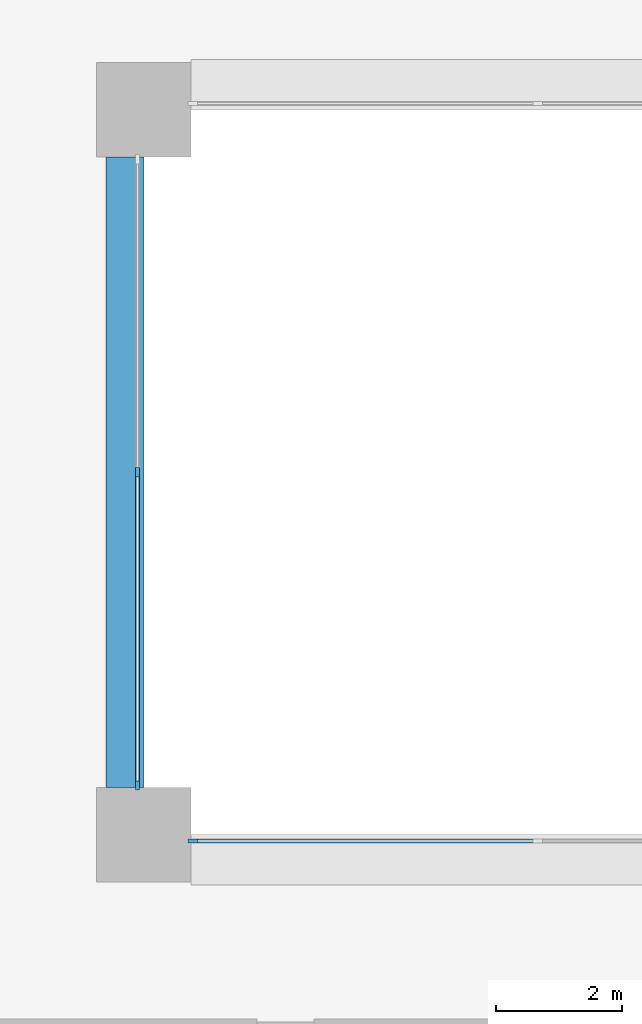
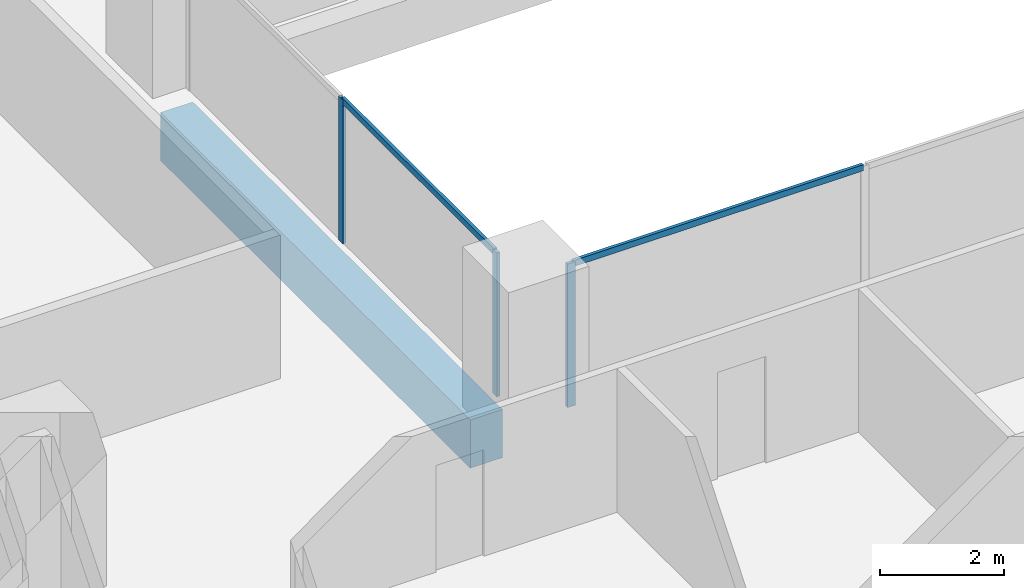
# One storey, part 2 of 20: 5 members, 1 beam, 2 elements without a shape of their own.
"""IFC4 building model written with IfcOpenShell, lengths in metres."""

from ifc_helpers import new_model, si_unit, direction, frame, origin, origin_2d, place, context, subcontext, project, spatial, rectangle, extrude, material, layer, layer_set, material_profile, profile_set, type_object, element, aggregate, save


model = new_model("IFC4")

# Units and contexts
model_context = context("Model", 3, precision=1e-05, world=origin(), true_north=direction((0.0, 1.0)))
body_context = subcontext(model_context, "Body", "Model", "MODEL_VIEW")
ifc_project = project(units=[si_unit("LENGTHUNIT", "METRE"), si_unit("AREAUNIT", "SQUARE_METRE"), si_unit("VOLUMEUNIT", "CUBIC_METRE"), si_unit("PLANEANGLEUNIT", "RADIAN"), si_unit("MASSUNIT", "GRAM", prefix="KILO")], contexts=[model_context])

# Site, building, storey
site_placement = place(None, origin())
site = spatial("IfcSite", under=ifc_project, at=site_placement, CompositionType="ELEMENT")
building_placement = place(site_placement, origin())
building = spatial("IfcBuilding", under=site, at=building_placement, Name="Brigalow Station Residences", CompositionType="ELEMENT")
storey_placement = place(building_placement, frame((0.0, 0.0, 44.699951171875)))
storey = spatial("IfcBuildingStorey", under=building, at=storey_placement, Name="L12", CompositionType="ELEMENT", Elevation=44.699951171875)

# Beam
ifc_material_1 = material(Name="Concrete C65", Category="concrete")
ifc_material_profile_1 = material_profile(ifc_material_1, rectangle(XDim=0.60009765625, YDim=0.949951171875, at=origin_2d()), Name="RC600x950")
ifc_profile_set_1 = profile_set([ifc_material_profile_1], Name="Concrete C65")
beam_type = type_object("IfcBeamType", Name="ATRIUM EDGE GIRDER 600x950 C65", PredefinedType="BEAM", material=ifc_profile_set_1)
beam_placement = place(storey_placement, frame((26.699951171875, 24.75, -0.794921875), z_axis=(0.0, 1.0, 0.0), x_axis=(-1.0, 0.0, 0.0)))
element("IfcBeam", 1, at=beam_placement, inside=storey, type_object=beam_type, Name="ATRIUM EDGE GIRDER 3 L12", PredefinedType="BEAM", context=body_context, shape_type="SweptSolid", body=[
    extrude(rectangle(XDim=0.60009765625, YDim=0.949951171875, at=origin_2d()), origin(), (0.0, 0.0, 1.0), 10.0),
])

# Curtain wall, member
ifc_material_2 = material(Name="Aluminium", Category="aluminium")
ifc_layer = layer(ifc_material_2, 0.14990234375)
ifc_layer_set = layer_set([ifc_layer], Name="ATRIUM FIRE-RATED GLAZING CURTAIN WALL")
curtain_wall_type = type_object("IfcCurtainWallType", Name="ATRIUM FIRE-RATED GLAZING CURTAIN WALL", PredefinedType="NOTDEFINED", material=ifc_layer_set)
curtain_wall_1_placement = place(storey_placement, origin())
curtain_wall_1 = element("IfcCurtainWall", 2, at=curtain_wall_1_placement, inside=storey, type_object=curtain_wall_type, Name="L12/cw/atrium-S", PredefinedType="NOTDEFINED")
ifc_material_3 = material(Name="Aluminium", Category="aluminium")
ifc_material_profile_2 = material_profile(ifc_material_3, rectangle(XDim=0.06005859375, YDim=0.14990234375, at=origin_2d()), Name="ATRIUM FIRE-RATED GLAZING MULLION 60x150")
ifc_profile_set_2 = profile_set([ifc_material_profile_2], Name="Aluminium")
member_type_1 = type_object("IfcMemberType", Name="ATRIUM FIRE-RATED GLAZING MULLION 60x150", PredefinedType="MULLION", material=ifc_profile_set_2)
member_1_placement = place(storey_placement, frame((27.780029296875, 23.89990234375, 0.0), z_axis=(0.0, 0.0, 1.0), x_axis=(0.0, 1.0, 0.0)))
member_1 = element("IfcMember", 3, at=member_1_placement, type_object=member_type_1, Name="L12/cw/atrium-S/M00", PredefinedType="MULLION", context=body_context, shape_type="SweptSolid", body=[
    extrude(rectangle(XDim=0.06005859375, YDim=0.14990234375, at=origin_2d()), origin(), (0.0, 0.0, 1.0), 2.830078125),
])

# Curtain wall, members
curtain_wall_2_placement = place(storey_placement, origin())
curtain_wall_2 = element("IfcCurtainWall", 4, at=curtain_wall_2_placement, inside=storey, type_object=curtain_wall_type, Name="L12/cw/atrium-W", PredefinedType="NOTDEFINED")
member_2_placement = place(storey_placement, frame((26.89990234375, 29.75, 0.0), z_axis=(0.0, 0.0, 1.0), x_axis=(1.0, 0.0, 0.0)))
member_2 = element("IfcMember", 5, at=member_2_placement, type_object=member_type_1, Name="L12/cw/atrium-W/M01", PredefinedType="MULLION", context=body_context, shape_type="SweptSolid", body=[
    extrude(rectangle(XDim=0.06005859375, YDim=0.14990234375, at=origin_2d()), origin(), (0.0, 0.0, 1.0), 2.830078125),
])
member_3_placement = place(storey_placement, frame((26.89990234375, 24.780029296875, 0.0), z_axis=(0.0, 0.0, 1.0), x_axis=(1.0, 0.0, 0.0)))
member_3 = element("IfcMember", 6, at=member_3_placement, type_object=member_type_1, Name="L12/cw/atrium-W/M02", PredefinedType="MULLION", context=body_context, shape_type="SweptSolid", body=[
    extrude(rectangle(XDim=0.06005859375, YDim=0.14990234375, at=origin_2d()), origin(), (0.0, 0.0, 1.0), 2.830078125),
])

# Member
ifc_material_4 = material(Name="Aluminium", Category="aluminium")
ifc_material_profile_3 = material_profile(ifc_material_4, rectangle(XDim=0.06005859375, YDim=0.1201171875, at=origin_2d()), Name="ATRIUM FIRE-RATED GLAZING TRANSOM 60x120")
ifc_profile_set_3 = profile_set([ifc_material_profile_3], Name="Aluminium")
member_type_2 = type_object("IfcMemberType", Name="ATRIUM FIRE-RATED GLAZING TRANSOM 60x120", PredefinedType="USERDEFINED", material=ifc_profile_set_3)
member_4_placement = place(storey_placement, frame((27.81005859375, 23.89990234375, 2.800048828125), z_axis=(1.0, 0.0, 0.0), x_axis=(0.0, 1.0, 0.0)))
member_4 = element("IfcMember", 7, at=member_4_placement, type_object=member_type_2, Name="L12/cw/atrium-S/T00-00", ObjectType="TRANSOM", PredefinedType="USERDEFINED", context=body_context, shape_type="SweptSolid", body=[
    extrude(rectangle(XDim=0.06005859375, YDim=0.1201171875, at=origin_2d()), origin(), (0.0, 0.0, 1.0), 5.409912109375),
])

aggregate(curtain_wall_1, [member_1, member_4])

member_5_placement = place(storey_placement, frame((26.89990234375, 29.719970703125, 2.800048828125), z_axis=(0.0, -1.0, 0.0), x_axis=(1.0, 0.0, 0.0)))
member_5 = element("IfcMember", 8, at=member_5_placement, type_object=member_type_2, Name="L12/cw/atrium-W/T01-00", ObjectType="TRANSOM", PredefinedType="USERDEFINED", context=body_context, shape_type="SweptSolid", body=[
    extrude(rectangle(XDim=0.06005859375, YDim=0.1201171875, at=origin_2d()), origin(), (0.0, 0.0, 1.0), 4.909912109375),
])

aggregate(curtain_wall_2, [member_2, member_3, member_5])

save(model, "model.ifc")
